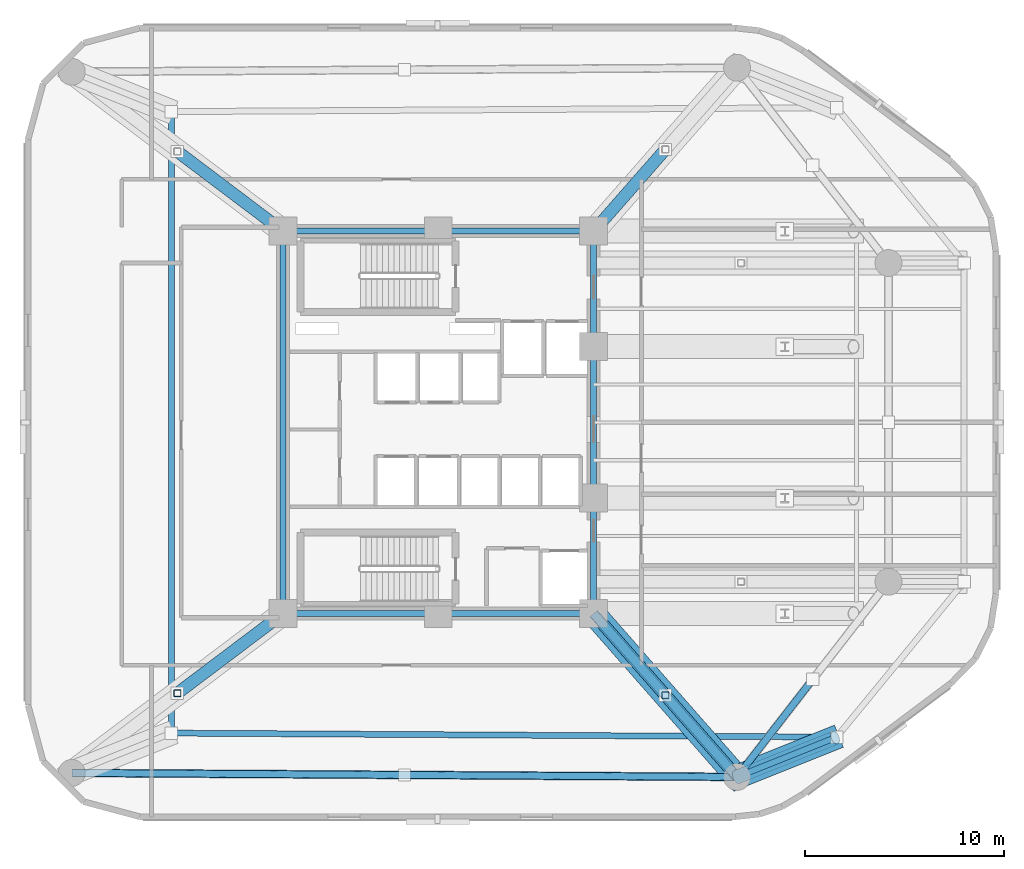
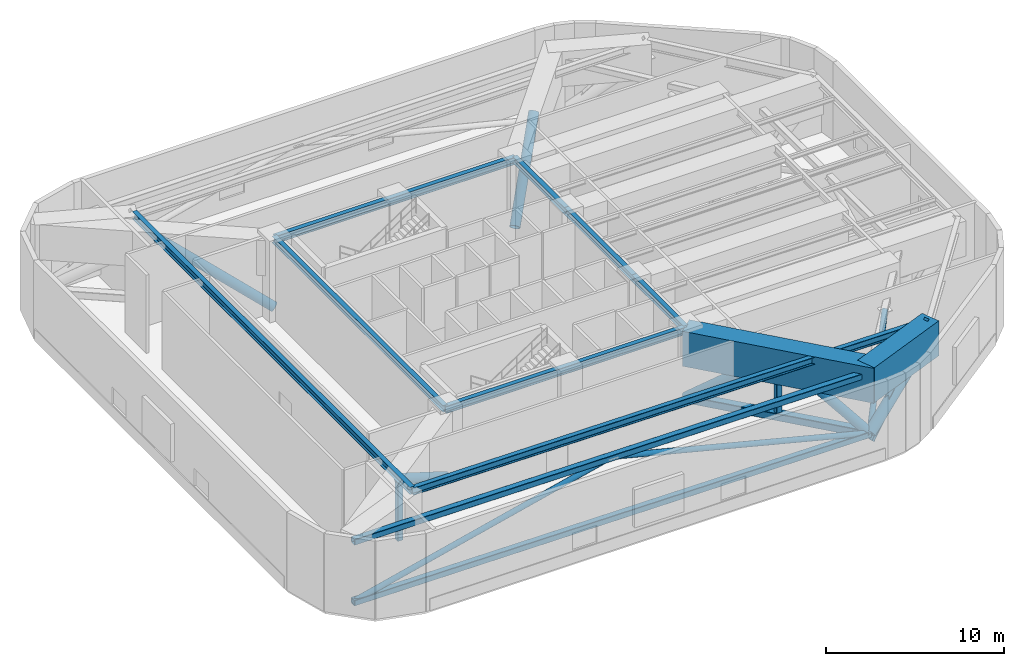
# One storey, part 2 of 10: 14 members, 11 beams.
"""IFC4 building model written with IfcOpenShell, lengths in metres."""

from ifc_helpers import new_model, si_unit, direction, frame, origin, origin_2d, place, context, subcontext, project, spatial, rectangle, hollow_rectangle, hollow_circle, i_section, extrude, material, material_profile, profile_set, type_object, element, save


model = new_model("IFC4")

# Units and contexts
model_context = context("Model", 3, precision=1e-05, world=origin(), true_north=direction((0.0, 1.0)))
body_context = subcontext(model_context, "Body", "Model", "MODEL_VIEW")
ifc_project = project(units=[si_unit("LENGTHUNIT", "METRE"), si_unit("AREAUNIT", "SQUARE_METRE"), si_unit("VOLUMEUNIT", "CUBIC_METRE"), si_unit("PLANEANGLEUNIT", "RADIAN"), si_unit("MASSUNIT", "GRAM", prefix="KILO")], contexts=[model_context])

# Site, building, storey
site_placement = place(None, origin())
site = spatial("IfcSite", under=ifc_project, at=site_placement, CompositionType="ELEMENT")
building_placement = place(site_placement, origin())
building = spatial("IfcBuilding", under=site, at=building_placement, Name="An Khanh Terracotta Commons", CompositionType="ELEMENT")
storey_placement = place(building_placement, frame((0.0, 0.0, 133.10009765625)))
storey = spatial("IfcBuildingStorey", under=building, at=storey_placement, Name="L35", CompositionType="ELEMENT", Elevation=133.10009765625)

# Members
ifc_material_1 = material(Name="Steel S460ML", Category="steel")
ifc_material_profile_1 = material_profile(ifc_material_1, hollow_rectangle(XDim=0.39990234375, YDim=0.39990234375, WallThickness=0.02001953125, InnerFilletRadius=0.02001953125, OuterFilletRadius=0.0400390625, at=origin_2d()), Name="SHS400x400x20")
ifc_profile_set_1 = profile_set([ifc_material_profile_1], Name="Steel S460ML")
member_type_1 = type_object("IfcMemberType", Name="BELT-CHORD-SHS400", PredefinedType="CHORD", material=ifc_profile_set_1)
for number, where, z_axis, x_axis, name in (
    (1, (11.0, 6.39990234375, 0.449951171875), (0.999982080914, -0.005986472262, 0.0), (0.005986472262, 0.999982080914, 0.0), "L35 Belt-Truss Bottom Chord 1"),
    (2, (11.0, 6.39990234375, 4.60986328125), (0.999982080914, -0.005986472262, 0.0), (0.005986472262, 0.999982080914, 0.0), "L35 Belt-Truss Top Chord 1"),
):
    element("IfcMember", number, at=place(storey_placement, frame(where, z_axis=z_axis, x_axis=x_axis)), inside=storey, type_object=member_type_1, Name=name, PredefinedType="CHORD", context=body_context, shape_type="SweptSolid", body=[
        extrude(hollow_rectangle(XDim=0.39990234375, YDim=0.39990234375, WallThickness=0.02001953125, InnerFilletRadius=0.02001953125, OuterFilletRadius=0.0400390625, at=origin_2d()), origin(), (0.0, 0.0, 1.0), 33.400390625),
    ])
ifc_material_profile_2 = material_profile(ifc_material_1, hollow_rectangle(XDim=0.5, YDim=0.5, WallThickness=0.02490234375, InnerFilletRadius=0.02490234375, OuterFilletRadius=0.050048828125, at=origin_2d()), Name="SHS500x500x25")
ifc_profile_set_2 = profile_set([ifc_material_profile_2], Name="Steel S460ML")
member_type_2 = type_object("IfcMemberType", Name="BELT-CHORD-SHS500", PredefinedType="CHORD", material=ifc_profile_set_2)
member_1_placement = place(storey_placement, frame((37.199951171875, 14.39990234375, 0.449951171875), z_axis=(0.659800865089, -0.7514404956, 0.0), x_axis=(0.7514404956, 0.659800865089, 0.0)))
element("IfcMember", 3, at=member_1_placement, inside=storey, type_object=member_type_2, Name="L35 Outrigger Bottom Chord 2", PredefinedType="CHORD", context=body_context, shape_type="SweptSolid", body=[
    extrude(hollow_rectangle(XDim=0.5, YDim=0.5, WallThickness=0.02490234375, InnerFilletRadius=0.02490234375, OuterFilletRadius=0.050048828125, at=origin_2d()), origin(), (0.0, 0.0, 1.0), 10.912353515625),
])
ifc_material_profile_3 = material_profile(ifc_material_1, hollow_circle(Radius=0.177734375, WallThickness=0.01611328125, at=origin_2d()), Name="CHS355.6x16")
ifc_profile_set_3 = profile_set([ifc_material_profile_3], Name="Steel S460ML")
member_type_3 = type_object("IfcMemberType", Name="BELT-DIAG-CHS355", PredefinedType="BRACE", material=ifc_profile_set_3)
for number, where, z_axis, x_axis, name in (
    (4, (11.0, 6.39990234375, 0.449951171875), (0.970331928564, -0.005801876508, 0.241707026458), (0.005979163033, 0.999982124645, 0.0), "L35 Belt-Truss Web Diagonal 1A"),
    (5, (44.39990234375, 6.199951171875, 0.449951171875), (-0.970331848605, 0.005816061546, 0.24170700654), (-0.005993781489, -0.99998203713, 0.0), "L35 Belt-Truss Web Diagonal 1B"),
):
    element("IfcMember", number, at=place(storey_placement, frame(where, z_axis=z_axis, x_axis=x_axis)), inside=storey, type_object=member_type_3, Name=name, PredefinedType="BRACE", context=body_context, shape_type="SweptSolid", body=[
        extrude(hollow_circle(Radius=0.177734375, WallThickness=0.01611328125, at=origin_2d()), origin(), (0.0, 0.0, 1.0), 17.21044921875),
    ])
member_2_placement = place(storey_placement, frame((44.39990234375, 6.199951171875, 0.449951171875), z_axis=(0.50890971535, 0.656236870979, 0.557103285567), x_axis=(-0.790224859557, 0.612816996613, 0.0)))
element("IfcMember", 6, at=member_2_placement, inside=storey, type_object=member_type_3, Name="L35 Belt-Truss Web Diagonal 2A", PredefinedType="BRACE", context=body_context, shape_type="SweptSolid", body=[
    extrude(hollow_circle(Radius=0.177734375, WallThickness=0.01611328125, at=origin_2d()), origin(), (0.0, 0.0, 1.0), 7.467041015625),
])
ifc_material_profile_4 = material_profile(ifc_material_1, hollow_rectangle(XDim=0.35009765625, YDim=0.35009765625, WallThickness=0.01611328125, InnerFilletRadius=0.01611328125, OuterFilletRadius=0.031982421875, at=origin_2d()), Name="SHS350x350x16")
ifc_profile_set_4 = profile_set([ifc_material_profile_4], Name="Steel S460ML")
member_type_4 = type_object("IfcMemberType", Name="BELT-STRUT-SHS350", PredefinedType="STRUT", material=ifc_profile_set_4)
for number, where, z_axis, x_axis, name in (
    (7, (16.300048828125, 10.39990234375, 0.449951171875), (0.0, 0.0, 1.0), (1.0, 0.0, 0.0), "L35 Outrigger Vertical Post 1"),
    (8, (40.800048828125, 10.300048828125, 0.449951171875), (0.0, 0.0, 1.0), (1.0, 0.0, 0.0), "L35 Outrigger Vertical Post 2"),
):
    element("IfcMember", number, at=place(storey_placement, frame(where, z_axis=z_axis, x_axis=x_axis)), inside=storey, type_object=member_type_4, Name=name, PredefinedType="STRUT", context=body_context, shape_type="SweptSolid", body=[
        extrude(hollow_rectangle(XDim=0.35009765625, YDim=0.35009765625, WallThickness=0.01611328125, InnerFilletRadius=0.01611328125, OuterFilletRadius=0.031982421875, at=origin_2d()), origin(), (0.0, 0.0, 1.0), 4.159912109375),
    ])

# Beams
ifc_material_2 = material(Name="Steel S355J2", Category="steel")
ifc_material_profile_5 = material_profile(ifc_material_2, i_section(OverallWidth=0.300048828125, OverallDepth=0.449951171875, WebThickness=0.013916015625, FlangeThickness=0.02587890625, FilletRadius=0.027099609375, at=origin_2d()), Name="HEB450")
ifc_profile_set_5 = profile_set([ifc_material_profile_5], Name="Steel S355J2")
beam_type_1 = type_object("IfcBeamType", Name="BM-HEB450", PredefinedType="BEAM", material=ifc_profile_set_5)
beam_1_placement = place(storey_placement, frame((37.199951171875, 14.39990234375, 5.135009765625), z_axis=(0.0, 1.0, 0.0), x_axis=(-1.0, 0.0, 0.0)))
element("IfcBeam", 9, at=beam_1_placement, inside=storey, type_object=beam_type_1, Name="L35 Core East Coupling Girder 1", PredefinedType="BEAM", context=body_context, shape_type="SweptSolid", body=[
    extrude(i_section(OverallWidth=0.300048828125, OverallDepth=0.449951171875, WebThickness=0.013916015625, FlangeThickness=0.02587890625, FilletRadius=0.027099609375, at=origin_2d()), origin(), (0.0, 0.0, 1.0), 5.800048828125),
])
beam_2_placement = place(storey_placement, frame((37.199951171875, 20.199951171875, 5.135009765625), z_axis=(0.0, 1.0, 0.0), x_axis=(-1.0, 0.0, 0.0)))
element("IfcBeam", 10, at=beam_2_placement, inside=storey, type_object=beam_type_1, Name="L35 Core East Coupling Girder 2", PredefinedType="BEAM", context=body_context, shape_type="SweptSolid", body=[
    extrude(i_section(OverallWidth=0.300048828125, OverallDepth=0.449951171875, WebThickness=0.013916015625, FlangeThickness=0.02587890625, FilletRadius=0.027099609375, at=origin_2d()), origin(), (0.0, 0.0, 1.0), 7.60009765625),
])
beam_3_placement = place(storey_placement, frame((37.199951171875, 27.800048828125, 5.135009765625), z_axis=(0.0, 1.0, 0.0), x_axis=(-1.0, 0.0, 0.0)))
element("IfcBeam", 11, at=beam_3_placement, inside=storey, type_object=beam_type_1, Name="L35 Core East Coupling Girder 3", PredefinedType="BEAM", context=body_context, shape_type="SweptSolid", body=[
    extrude(i_section(OverallWidth=0.300048828125, OverallDepth=0.449951171875, WebThickness=0.013916015625, FlangeThickness=0.02587890625, FilletRadius=0.027099609375, at=origin_2d()), origin(), (0.0, 0.0, 1.0), 5.800048828125),
])
beam_4_placement = place(storey_placement, frame((21.60009765625, 14.39990234375, 5.135009765625), z_axis=(0.0, 1.0, 0.0), x_axis=(-1.0, 0.0, 0.0)))
element("IfcBeam", 12, at=beam_4_placement, inside=storey, type_object=beam_type_1, Name="L35 Core West Coupling Girder", PredefinedType="BEAM", context=body_context, shape_type="SweptSolid", body=[
    extrude(i_section(OverallWidth=0.300048828125, OverallDepth=0.449951171875, WebThickness=0.013916015625, FlangeThickness=0.02587890625, FilletRadius=0.027099609375, at=origin_2d()), origin(), (0.0, 0.0, 1.0), 19.2001953125),
])
ifc_material_profile_6 = material_profile(ifc_material_2, i_section(OverallWidth=0.300048828125, OverallDepth=0.5, WebThickness=0.014404296875, FlangeThickness=0.028076171875, FilletRadius=0.027099609375, at=origin_2d()), Name="HEB500")
ifc_profile_set_6 = profile_set([ifc_material_profile_6], Name="Steel S355J2")
beam_type_2 = type_object("IfcBeamType", Name="BM-HEB500", PredefinedType="BEAM", material=ifc_profile_set_6)
for number, where, z_axis, x_axis, name in (
    (13, (21.60009765625, 14.39990234375, 5.10986328125), (1.0, 0.0, 0.0), (0.0, 1.0, 0.0), "L35 Core South Coupling Girder"),
    (14, (21.60009765625, 33.60009765625, 5.10986328125), (1.0, 0.0, 0.0), (0.0, 1.0, 0.0), "L35 Core North Coupling Girder"),
):
    element("IfcBeam", number, at=place(storey_placement, frame(where, z_axis=z_axis, x_axis=x_axis)), inside=storey, type_object=beam_type_2, Name=name, PredefinedType="BEAM", context=body_context, shape_type="SweptSolid", body=[
        extrude(i_section(OverallWidth=0.300048828125, OverallDepth=0.5, WebThickness=0.014404296875, FlangeThickness=0.028076171875, FilletRadius=0.027099609375, at=origin_2d()), origin(), (0.0, 0.0, 1.0), 15.599853515625),
    ])
beam_5_placement = place(storey_placement, frame((16.0, 8.39990234375, 5.10986328125), z_axis=(0.999982080914, -0.005986472262, 0.0), x_axis=(0.005986472262, 0.999982080914, 0.0)))
element("IfcBeam", 15, at=beam_5_placement, inside=storey, type_object=beam_type_2, Name="L35 Perimeter Ring Spandrel 1", PredefinedType="BEAM", context=body_context, shape_type="SweptSolid", body=[
    extrude(i_section(OverallWidth=0.300048828125, OverallDepth=0.5, WebThickness=0.014404296875, FlangeThickness=0.028076171875, FilletRadius=0.027099609375, at=origin_2d()), origin(), (0.0, 0.0, 1.0), 33.400390625),
])
beam_6_placement = place(storey_placement, frame((16.0, 39.60009765625, 5.10986328125), z_axis=(0.0, -1.0, 0.0), x_axis=(1.0, 0.0, 0.0)))
element("IfcBeam", 16, at=beam_6_placement, inside=storey, type_object=beam_type_2, Name="L35 Perimeter Ring Spandrel 6", PredefinedType="BEAM", context=body_context, shape_type="SweptSolid", body=[
    extrude(i_section(OverallWidth=0.300048828125, OverallDepth=0.5, WebThickness=0.014404296875, FlangeThickness=0.028076171875, FilletRadius=0.027099609375, at=origin_2d()), origin(), (0.0, 0.0, 1.0), 31.2001953125),
])
ifc_material_profile_7 = material_profile(ifc_material_2, i_section(OverallWidth=0.300048828125, OverallDepth=0.60009765625, WebThickness=0.015380859375, FlangeThickness=0.030029296875, FilletRadius=0.027099609375, at=origin_2d()), Name="HEB600")
ifc_profile_set_7 = profile_set([ifc_material_profile_7], Name="Steel S355J2")
beam_type_3 = type_object("IfcBeamType", Name="BM-HEB600", PredefinedType="BEAM", material=ifc_profile_set_7)
beam_7_placement = place(storey_placement, frame((44.39990234375, 6.199951171875, 0.0), z_axis=(0.664822495315, 0.265928998126, 0.69806362008), x_axis=(-0.371390676354, 0.928476690885, 0.0)))
element("IfcBeam", 17, at=beam_7_placement, inside=storey, type_object=beam_type_3, Name="L35 Outrigger Lower Column Tie Beam 2", PredefinedType="BEAM", context=body_context, shape_type="SweptSolid", body=[
    extrude(i_section(OverallWidth=0.300048828125, OverallDepth=0.60009765625, WebThickness=0.015380859375, FlangeThickness=0.030029296875, FilletRadius=0.027099609375, at=origin_2d()), origin(), (0.0, 0.0, 1.0), 7.520751953125),
])
ifc_material_3 = material(Name="Concrete C60/75", Category="concrete")
ifc_material_profile_8 = material_profile(ifc_material_3, rectangle(XDim=1.199951171875, YDim=2.39990234375, at=origin_2d()), Name="RCB1200x2400")
ifc_profile_set_8 = profile_set([ifc_material_profile_8], Name="Concrete C60/75")
beam_type_4 = type_object("IfcBeamType", Name="BM-RCB1200x2400", PredefinedType="BEAM", material=ifc_profile_set_8)
beam_8_placement = place(storey_placement, frame((37.199951171875, 14.39990234375, 4.159912109375), z_axis=(0.659822479498, -0.75142151656, 0.0), x_axis=(0.75142151656, 0.659822479498, 0.0)))
element("IfcBeam", 18, at=beam_8_placement, inside=storey, type_object=beam_type_4, Name="L35 Outrigger Core-to-Mega Transfer Girder 2", PredefinedType="BEAM", context=body_context, shape_type="SweptSolid", body=[
    extrude(rectangle(XDim=1.199951171875, YDim=2.39990234375, at=origin_2d()), origin(), (0.0, 0.0, 1.0), 11.3623046875),
])
beam_9_placement = place(storey_placement, frame((44.074951171875, 6.070068359375, 4.159912109375), z_axis=(0.928439302104, 0.371484134665, 0.0), x_axis=(-0.371484134665, 0.928439302104, 0.0)))
element("IfcBeam", 19, at=beam_9_placement, inside=storey, type_object=beam_type_4, Name="L35 Mega-Column Step-Out Transfer Girder 2", PredefinedType="BEAM", context=body_context, shape_type="SweptSolid", body=[
    extrude(rectangle(XDim=1.199951171875, YDim=2.39990234375, at=origin_2d()), origin(), (0.0, 0.0, 1.0), 5.85498046875),
])

# Members
ifc_material_profile_9 = material_profile(ifc_material_1, hollow_circle(Radius=0.304931640625, WallThickness=0.030029296875, at=origin_2d()), Name="CHS610x30")
ifc_profile_set_9 = profile_set([ifc_material_profile_9], Name="Steel S460ML")
member_type_5 = type_object("IfcMemberType", Name="OUTRIGGER-DIAG-CHS610", PredefinedType="BRACE", material=ifc_profile_set_9)
member_3_placement = place(storey_placement, frame((21.60009765625, 14.39990234375, 0.449951171875), z_axis=(-0.676413088262, -0.510495740849, 0.530904353535), x_axis=(0.602403370061, -0.798191818888, 0.0)))
element("IfcMember", 20, at=member_3_placement, inside=storey, type_object=member_type_5, Name="L35 Outrigger Tie Diagonal 1A", PredefinedType="BRACE", context=body_context, shape_type="SweptSolid", body=[
    extrude(hollow_circle(Radius=0.304931640625, WallThickness=0.030029296875, at=origin_2d()), origin(), (0.0, 0.0, 1.0), 7.83544921875),
])
for number, where, z_axis, x_axis, name in (
    (21, (37.199951171875, 14.39990234375, 0.449951171875), (0.524713236492, -0.597552514608, 0.606306038016), (0.751419662867, 0.659824590522, 0.0), "L35 Outrigger Tie Diagonal 2A"),
    (22, (40.800048828125, 10.300048828125, 4.60986328125), (0.524676292508, -0.597586548415, -0.606304465788), (0.751461327499, 0.659777139096, 0.0), "L35 Outrigger Tie Diagonal 2B"),
    (23, (37.199951171875, 33.60009765625, 0.449951171875), (0.524713236492, 0.597552514608, 0.606306038016), (-0.751419662867, 0.659824590522, 0.0), "L35 Outrigger Tie Diagonal 5A"),
):
    element("IfcMember", number, at=place(storey_placement, frame(where, z_axis=z_axis, x_axis=x_axis)), inside=storey, type_object=member_type_5, Name=name, PredefinedType="BRACE", context=body_context, shape_type="SweptSolid", body=[
        extrude(hollow_circle(Radius=0.304931640625, WallThickness=0.030029296875, at=origin_2d()), origin(), (0.0, 0.0, 1.0), 6.861083984375),
    ])
member_4_placement = place(storey_placement, frame((21.60009765625, 33.60009765625, 0.449951171875), z_axis=(-0.676413088262, 0.510495740849, 0.530904353535), x_axis=(-0.602403370061, -0.798191818888, 0.0)))
element("IfcMember", 24, at=member_4_placement, inside=storey, type_object=member_type_5, Name="L35 Outrigger Tie Diagonal 6A", PredefinedType="BRACE", context=body_context, shape_type="SweptSolid", body=[
    extrude(hollow_circle(Radius=0.304931640625, WallThickness=0.030029296875, at=origin_2d()), origin(), (0.0, 0.0, 1.0), 7.83544921875),
])
ifc_material_profile_10 = material_profile(ifc_material_1, hollow_circle(Radius=0.35546875, WallThickness=0.031982421875, at=origin_2d()), Name="CHS711x32")
ifc_profile_set_10 = profile_set([ifc_material_profile_10], Name="Steel S460ML")
member_type_6 = type_object("IfcMemberType", Name="OUTRIGGER-RAKE-CHS711", PredefinedType="STRUT", material=ifc_profile_set_10)
member_5_placement = place(storey_placement, frame((44.39990234375, 6.199951171875, 0.449951171875), z_axis=(0.760915013284, 0.304298123715, 0.57307154393), x_axis=(-0.371319268009, 0.928505251038, 0.0)))
element("IfcMember", 25, at=member_5_placement, inside=storey, type_object=member_type_6, Name="L35 Zone-Step Raking Outrigger Strut 2", PredefinedType="STRUT", context=body_context, shape_type="SweptSolid", body=[
    extrude(hollow_circle(Radius=0.35546875, WallThickness=0.031982421875, at=origin_2d()), origin(), (0.0, 0.0, 1.0), 6.473876953125),
])

save(model, "model.ifc")
